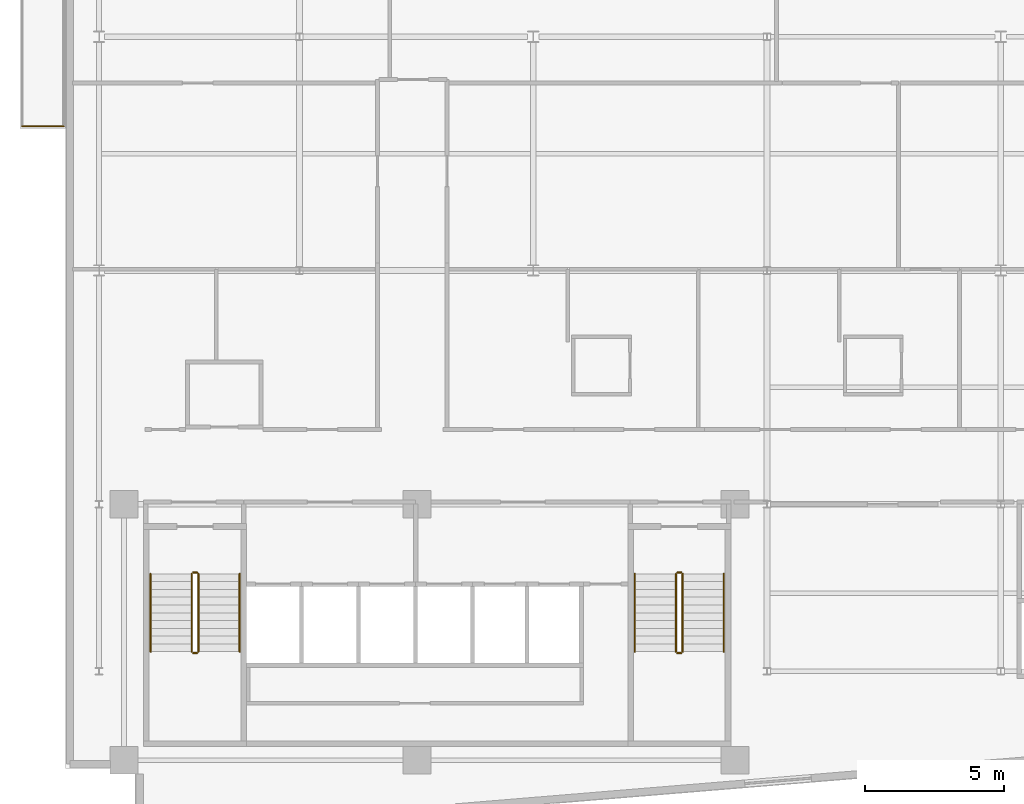
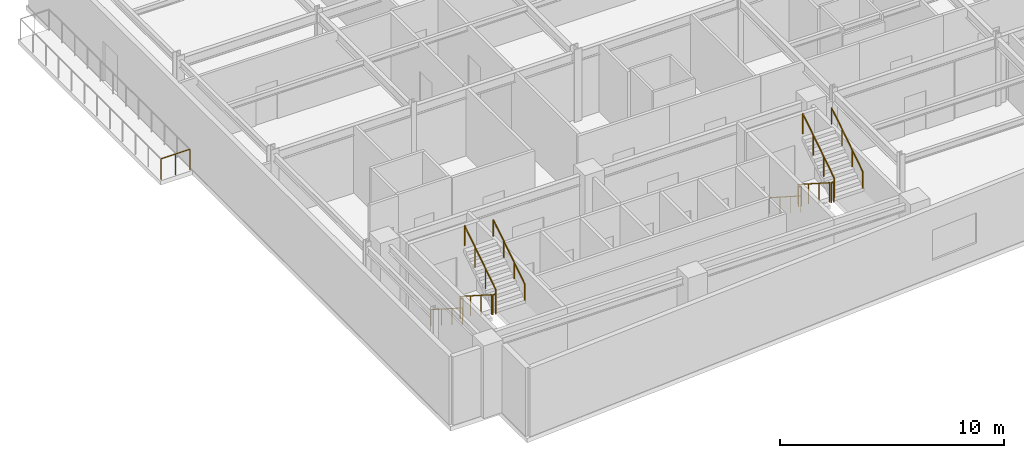
# One storey, part 15 of 17: 13 railings.
"""IFC4 building model written with IfcOpenShell, lengths in metres."""

from ifc_helpers import new_model, si_unit, direction, frame, origin, origin_2d, place, context, subcontext, project, spatial, circle, extrude, material, type_object, element, save


model = new_model("IFC4")

# Units and contexts
model_context = context("Model", 3, precision=1e-05, world=origin(), true_north=direction((0.0, 1.0)))
body_context = subcontext(model_context, "Body", "Model", "MODEL_VIEW")
ifc_project = project(units=[si_unit("LENGTHUNIT", "METRE"), si_unit("AREAUNIT", "SQUARE_METRE"), si_unit("VOLUMEUNIT", "CUBIC_METRE"), si_unit("PLANEANGLEUNIT", "RADIAN"), si_unit("MASSUNIT", "GRAM", prefix="KILO")], contexts=[model_context])

# Site, building, storey
site_placement = place(None, origin())
site = spatial("IfcSite", under=ifc_project, at=site_placement, CompositionType="ELEMENT")
building_placement = place(site_placement, origin())
building = spatial("IfcBuilding", under=site, at=building_placement, Name="Varnakote Quay Hospital", CompositionType="ELEMENT")
storey_placement = place(building_placement, frame((0.0, 0.0, 184.199951171875)))
storey = spatial("IfcBuildingStorey", under=building, at=storey_placement, Name="L45", CompositionType="ELEMENT", Elevation=184.199951171875)

# Railings
ifc_material_1 = material(Name="Anodised aluminium 6063-T6 Bronze", Category="aluminium")
railing_type_1 = type_object("IfcRailingType", Name="RLG-EXT-GUARD-1150", PredefinedType="GUARDRAIL", material=ifc_material_1)
railing_1_placement = place(storey_placement, frame((-0.075927734375, 25.580078125, 0.0)))
element("IfcRailing", 1, at=railing_1_placement, inside=storey, type_object=railing_type_1, Name="L45 Zigzag Prow Healing Terrace Safety Guard", PredefinedType="GUARDRAIL", context=body_context, shape_type="SweptSolid", body=[
    extrude(circle(Radius=0.02392578125, at=origin_2d()), frame((0.0, 0.0, 1.1259765625), z_axis=(-1.0, 0.0, 0.0), x_axis=(0.0, -1.0, 0.0)), (0.0, 0.0, 1.0), 1.484130859375),
    extrude(circle(Radius=0.02099609375, at=origin_2d()), origin(), (0.0, 0.0, 1.0), 1.101806640625),
    extrude(circle(Radius=0.02099609375, at=origin_2d()), frame((-0.7421875, 0.0, 0.0)), (0.0, 0.0, 1.0), 1.101806640625),
    extrude(circle(Radius=0.02099609375, at=origin_2d()), frame((-1.484130859375, 0.0, 0.0)), (0.0, 0.0, 1.0), 1.101806640625),
])
ifc_material_2 = material(Name="Brushed stainless steel balustrade", Category="steel")
railing_type_2 = type_object("IfcRailingType", Name="RLG-STAIR-GUARD-1150", PredefinedType="GUARDRAIL", material=ifc_material_2)
railing_2_placement = place(storey_placement, frame((4.530029296875, 9.5, 0.1796875)))
element("IfcRailing", 2, at=railing_2_placement, inside=storey, type_object=railing_type_2, Name="L45 ST-01 stair guard 1", PredefinedType="GUARDRAIL", context=body_context, shape_type="SweptSolid", body=[
    extrude(circle(Radius=0.02392578125, at=origin_2d()), frame((0.0, 0.0, 1.076171875), z_axis=(0.0, -0.841809871826, 0.539774156196), x_axis=(1.0, 0.0, 0.0)), (0.0, 0.0, 1.0), 3.326171875),
    extrude(circle(Radius=0.02099609375, at=origin_2d()), origin(), (0.0, 0.0, 1.0), 1.052001953125),
    extrude(circle(Radius=0.02099609375, at=origin_2d()), frame((0.0, -0.933349609375, 0.598388671875)), (0.0, 0.0, 1.0), 1.052001953125),
    extrude(circle(Radius=0.02099609375, at=origin_2d()), frame((0.0, -1.86669921875, 1.197021484375)), (0.0, 0.0, 1.0), 1.052001953125),
    extrude(circle(Radius=0.02099609375, at=origin_2d()), frame((0.0, -2.800048828125, 1.79541015625)), (0.0, 0.0, 1.0), 1.052001953125),
])
railing_3_placement = place(storey_placement, frame((4.580078125, 6.64990234375, 1.97509765625)))
element("IfcRailing", 3, at=railing_3_placement, inside=storey, type_object=railing_type_2, Name="L45 ST-01 stair guard 2", PredefinedType="GUARDRAIL", context=body_context, shape_type="SweptSolid", body=[
    extrude(circle(Radius=0.02392578125, at=origin_2d()), frame((0.0, 0.0, 1.076171875), z_axis=(1.0, 0.0, 0.0), x_axis=(0.0, 1.0, 0.0)), (0.0, 0.0, 1.0), 0.139892578125),
    extrude(circle(Radius=0.02099609375, at=origin_2d()), origin(), (0.0, 0.0, 1.0), 1.052001953125),
    extrude(circle(Radius=0.02099609375, at=origin_2d()), frame((0.139892578125, 0.0, 0.0)), (0.0, 0.0, 1.0), 1.052001953125),
])
railing_4_placement = place(storey_placement, frame((4.77001953125, 6.699951171875, 2.154541015625)))
element("IfcRailing", 4, at=railing_4_placement, inside=storey, type_object=railing_type_2, Name="L45 ST-01 stair guard 3", PredefinedType="GUARDRAIL", context=body_context, shape_type="SweptSolid", body=[
    extrude(circle(Radius=0.02392578125, at=origin_2d()), frame((0.0, 0.0, 1.076171875), z_axis=(0.0, 0.841809871826, 0.539774156196), x_axis=(-1.0, 0.0, 0.0)), (0.0, 0.0, 1.0), 3.326171875),
    extrude(circle(Radius=0.02099609375, at=origin_2d()), origin(), (0.0, 0.0, 1.0), 1.052001953125),
    extrude(circle(Radius=0.02099609375, at=origin_2d()), frame((0.0, 0.933349609375, 0.598388671875)), (0.0, 0.0, 1.0), 1.052001953125),
    extrude(circle(Radius=0.02099609375, at=origin_2d()), frame((0.0, 1.86669921875, 1.197021484375)), (0.0, 0.0, 1.0), 1.052001953125),
    extrude(circle(Radius=0.02099609375, at=origin_2d()), frame((0.0, 2.800048828125, 1.79541015625)), (0.0, 0.0, 1.0), 1.052001953125),
])
railing_5_placement = place(storey_placement, frame((4.580078125, 9.550048828125, 0.0)))
element("IfcRailing", 5, at=railing_5_placement, inside=storey, type_object=railing_type_2, Name="L45 ST-01 stair guard 4", PredefinedType="GUARDRAIL", context=body_context, shape_type="SweptSolid", body=[
    extrude(circle(Radius=0.02392578125, at=origin_2d()), frame((0.0, 0.0, 1.076171875), z_axis=(1.0, 0.0, 0.0), x_axis=(0.0, 1.0, 0.0)), (0.0, 0.0, 1.0), 0.139892578125),
    extrude(circle(Radius=0.02099609375, at=origin_2d()), origin(), (0.0, 0.0, 1.0), 1.052001953125),
    extrude(circle(Radius=0.02099609375, at=origin_2d()), frame((0.139892578125, 0.0, 0.0)), (0.0, 0.0, 1.0), 1.052001953125),
])
railing_6_placement = place(storey_placement, frame((21.929931640625, 9.5, 0.1796875)))
element("IfcRailing", 6, at=railing_6_placement, inside=storey, type_object=railing_type_2, Name="L45 ST-02 stair guard 1", PredefinedType="GUARDRAIL", context=body_context, shape_type="SweptSolid", body=[
    extrude(circle(Radius=0.02392578125, at=origin_2d()), frame((0.0, 0.0, 1.076171875), z_axis=(0.0, -0.841809871826, 0.539774156196), x_axis=(1.0, 0.0, 0.0)), (0.0, 0.0, 1.0), 3.326171875),
    extrude(circle(Radius=0.02099609375, at=origin_2d()), origin(), (0.0, 0.0, 1.0), 1.052001953125),
    extrude(circle(Radius=0.02099609375, at=origin_2d()), frame((0.0, -0.933349609375, 0.598388671875)), (0.0, 0.0, 1.0), 1.052001953125),
    extrude(circle(Radius=0.02099609375, at=origin_2d()), frame((0.0, -1.86669921875, 1.197021484375)), (0.0, 0.0, 1.0), 1.052001953125),
    extrude(circle(Radius=0.02099609375, at=origin_2d()), frame((0.0, -2.800048828125, 1.79541015625)), (0.0, 0.0, 1.0), 1.052001953125),
])
railing_7_placement = place(storey_placement, frame((21.97998046875, 6.64990234375, 1.97509765625)))
element("IfcRailing", 7, at=railing_7_placement, inside=storey, type_object=railing_type_2, Name="L45 ST-02 stair guard 2", PredefinedType="GUARDRAIL", context=body_context, shape_type="SweptSolid", body=[
    extrude(circle(Radius=0.02392578125, at=origin_2d()), frame((0.0, 0.0, 1.076171875), z_axis=(1.0, 0.0, 0.0), x_axis=(0.0, 1.0, 0.0)), (0.0, 0.0, 1.0), 0.14013671875),
    extrude(circle(Radius=0.02099609375, at=origin_2d()), origin(), (0.0, 0.0, 1.0), 1.052001953125),
    extrude(circle(Radius=0.02099609375, at=origin_2d()), frame((0.14013671875, 0.0, 0.0)), (0.0, 0.0, 1.0), 1.052001953125),
])
railing_8_placement = place(storey_placement, frame((22.169921875, 6.699951171875, 2.154541015625)))
element("IfcRailing", 8, at=railing_8_placement, inside=storey, type_object=railing_type_2, Name="L45 ST-02 stair guard 3", PredefinedType="GUARDRAIL", context=body_context, shape_type="SweptSolid", body=[
    extrude(circle(Radius=0.02392578125, at=origin_2d()), frame((0.0, 0.0, 1.076171875), z_axis=(0.0, 0.841809871826, 0.539774156196), x_axis=(-1.0, 0.0, 0.0)), (0.0, 0.0, 1.0), 3.326171875),
    extrude(circle(Radius=0.02099609375, at=origin_2d()), origin(), (0.0, 0.0, 1.0), 1.052001953125),
    extrude(circle(Radius=0.02099609375, at=origin_2d()), frame((0.0, 0.933349609375, 0.598388671875)), (0.0, 0.0, 1.0), 1.052001953125),
    extrude(circle(Radius=0.02099609375, at=origin_2d()), frame((0.0, 1.86669921875, 1.197021484375)), (0.0, 0.0, 1.0), 1.052001953125),
    extrude(circle(Radius=0.02099609375, at=origin_2d()), frame((0.0, 2.800048828125, 1.79541015625)), (0.0, 0.0, 1.0), 1.052001953125),
])
railing_9_placement = place(storey_placement, frame((21.97998046875, 9.550048828125, 0.0)))
element("IfcRailing", 9, at=railing_9_placement, inside=storey, type_object=railing_type_2, Name="L45 ST-02 stair guard 4", PredefinedType="GUARDRAIL", context=body_context, shape_type="SweptSolid", body=[
    extrude(circle(Radius=0.02392578125, at=origin_2d()), frame((0.0, 0.0, 1.076171875), z_axis=(1.0, 0.0, 0.0), x_axis=(0.0, 1.0, 0.0)), (0.0, 0.0, 1.0), 0.14013671875),
    extrude(circle(Radius=0.02099609375, at=origin_2d()), origin(), (0.0, 0.0, 1.0), 1.052001953125),
    extrude(circle(Radius=0.02099609375, at=origin_2d()), frame((0.14013671875, 0.0, 0.0)), (0.0, 0.0, 1.0), 1.052001953125),
])
ifc_material_3 = material(Name="Brushed stainless steel handrail", Category="steel")
railing_type_3 = type_object("IfcRailingType", Name="RLG-STAIR-HND-920", PredefinedType="HANDRAIL", material=ifc_material_3)
railing_10_placement = place(storey_placement, frame((3.050048828125, 9.5, 0.1796875)))
element("IfcRailing", 10, at=railing_10_placement, inside=storey, type_object=railing_type_3, Name="L45 ST-01 stair handrail 1", PredefinedType="HANDRAIL", context=body_context, shape_type="SweptSolid", body=[
    extrude(circle(Radius=0.02392578125, at=origin_2d()), frame((0.0, 0.0, 0.8759765625), z_axis=(0.0, -0.841809871826, 0.539774156196), x_axis=(1.0, 0.0, 0.0)), (0.0, 0.0, 1.0), 3.326171875),
    extrude(circle(Radius=0.02099609375, at=origin_2d()), origin(), (0.0, 0.0, 1.0), 0.851806640625),
    extrude(circle(Radius=0.02099609375, at=origin_2d()), frame((0.0, -0.933349609375, 0.598388671875)), (0.0, 0.0, 1.0), 0.851806640625),
    extrude(circle(Radius=0.02099609375, at=origin_2d()), frame((0.0, -1.86669921875, 1.197021484375)), (0.0, 0.0, 1.0), 0.851806640625),
    extrude(circle(Radius=0.02099609375, at=origin_2d()), frame((0.0, -2.800048828125, 1.79541015625)), (0.0, 0.0, 1.0), 0.851806640625),
])
railing_11_placement = place(storey_placement, frame((6.25, 6.699951171875, 2.154541015625)))
element("IfcRailing", 11, at=railing_11_placement, inside=storey, type_object=railing_type_3, Name="L45 ST-01 stair handrail 2", PredefinedType="HANDRAIL", context=body_context, shape_type="SweptSolid", body=[
    extrude(circle(Radius=0.02392578125, at=origin_2d()), frame((0.0, 0.0, 0.8759765625), z_axis=(0.0, 0.841809871826, 0.539774156196), x_axis=(-1.0, 0.0, 0.0)), (0.0, 0.0, 1.0), 3.326171875),
    extrude(circle(Radius=0.02099609375, at=origin_2d()), origin(), (0.0, 0.0, 1.0), 0.851806640625),
    extrude(circle(Radius=0.02099609375, at=origin_2d()), frame((0.0, 0.933349609375, 0.598388671875)), (0.0, 0.0, 1.0), 0.851806640625),
    extrude(circle(Radius=0.02099609375, at=origin_2d()), frame((0.0, 1.86669921875, 1.197021484375)), (0.0, 0.0, 1.0), 0.851806640625),
    extrude(circle(Radius=0.02099609375, at=origin_2d()), frame((0.0, 2.800048828125, 1.79541015625)), (0.0, 0.0, 1.0), 0.851806640625),
])
railing_12_placement = place(storey_placement, frame((20.449951171875, 9.5, 0.1796875)))
element("IfcRailing", 12, at=railing_12_placement, inside=storey, type_object=railing_type_3, Name="L45 ST-02 stair handrail 1", PredefinedType="HANDRAIL", context=body_context, shape_type="SweptSolid", body=[
    extrude(circle(Radius=0.02392578125, at=origin_2d()), frame((0.0, 0.0, 0.8759765625), z_axis=(0.0, -0.841809871826, 0.539774156196), x_axis=(1.0, 0.0, 0.0)), (0.0, 0.0, 1.0), 3.326171875),
    extrude(circle(Radius=0.02099609375, at=origin_2d()), origin(), (0.0, 0.0, 1.0), 0.851806640625),
    extrude(circle(Radius=0.02099609375, at=origin_2d()), frame((0.0, -0.933349609375, 0.598388671875)), (0.0, 0.0, 1.0), 0.851806640625),
    extrude(circle(Radius=0.02099609375, at=origin_2d()), frame((0.0, -1.86669921875, 1.197021484375)), (0.0, 0.0, 1.0), 0.851806640625),
    extrude(circle(Radius=0.02099609375, at=origin_2d()), frame((0.0, -2.800048828125, 1.79541015625)), (0.0, 0.0, 1.0), 0.851806640625),
])
railing_13_placement = place(storey_placement, frame((23.64990234375, 6.699951171875, 2.154541015625)))
element("IfcRailing", 13, at=railing_13_placement, inside=storey, type_object=railing_type_3, Name="L45 ST-02 stair handrail 2", PredefinedType="HANDRAIL", context=body_context, shape_type="SweptSolid", body=[
    extrude(circle(Radius=0.02392578125, at=origin_2d()), frame((0.0, 0.0, 0.8759765625), z_axis=(0.0, 0.841809871826, 0.539774156196), x_axis=(-1.0, 0.0, 0.0)), (0.0, 0.0, 1.0), 3.326171875),
    extrude(circle(Radius=0.02099609375, at=origin_2d()), origin(), (0.0, 0.0, 1.0), 0.851806640625),
    extrude(circle(Radius=0.02099609375, at=origin_2d()), frame((0.0, 0.933349609375, 0.598388671875)), (0.0, 0.0, 1.0), 0.851806640625),
    extrude(circle(Radius=0.02099609375, at=origin_2d()), frame((0.0, 1.86669921875, 1.197021484375)), (0.0, 0.0, 1.0), 0.851806640625),
    extrude(circle(Radius=0.02099609375, at=origin_2d()), frame((0.0, 2.800048828125, 1.79541015625)), (0.0, 0.0, 1.0), 0.851806640625),
])

save(model, "model.ifc")
